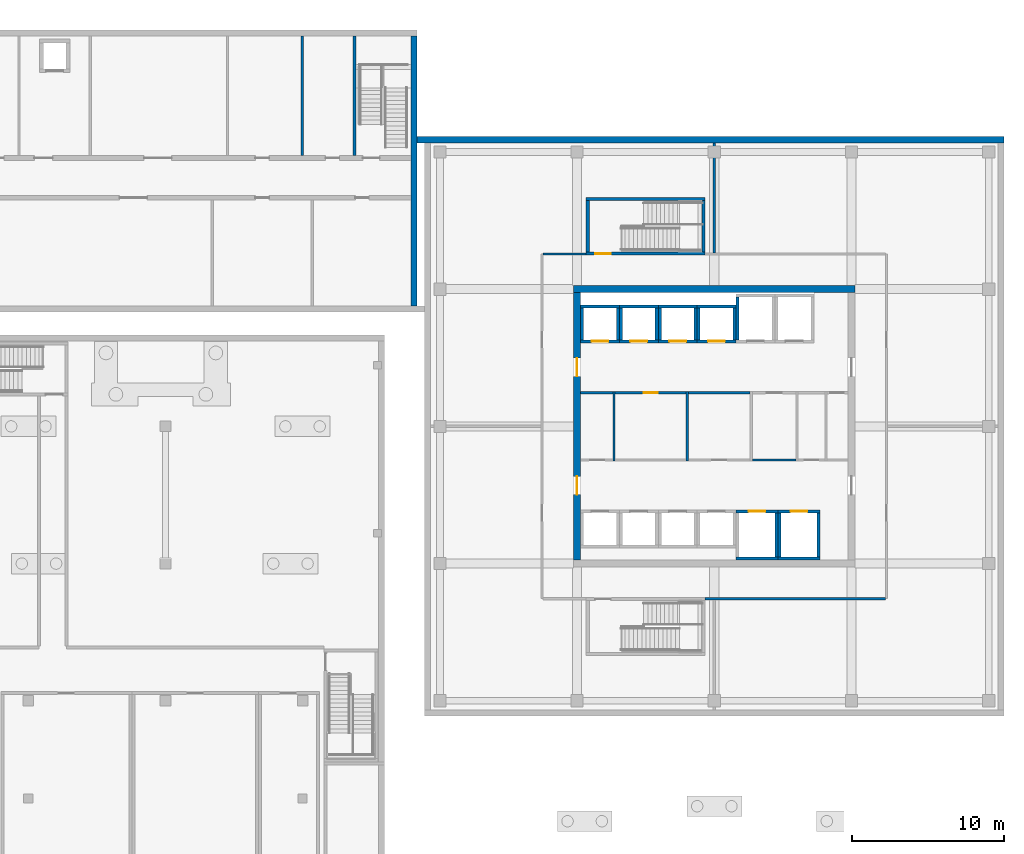
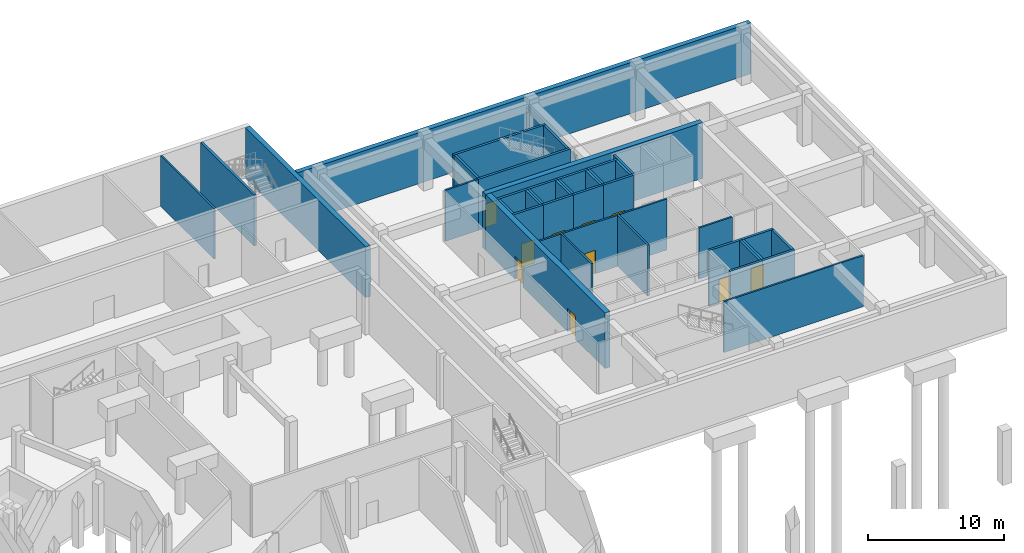
# One storey, part 9 of 15: 43 walls, 10 doors, 10 openings.
"""IFC4 building model written with IfcOpenShell, lengths in metres."""

from ifc_helpers import new_model, si_unit, direction, frame, frame_2d, origin, place, context, subcontext, project, spatial, rectangle, extrude, material, layer, layer_set, type_object, element, fill, save


model = new_model("IFC4")

# Units and contexts
model_context = context("Model", 3, precision=1e-05, world=origin(), true_north=direction((0.0, 1.0)))
body_context = subcontext(model_context, "Body", "Model", "MODEL_VIEW")
ifc_project = project(units=[si_unit("LENGTHUNIT", "METRE"), si_unit("AREAUNIT", "SQUARE_METRE"), si_unit("VOLUMEUNIT", "CUBIC_METRE"), si_unit("PLANEANGLEUNIT", "RADIAN"), si_unit("MASSUNIT", "GRAM", prefix="KILO")], contexts=[model_context])

# Site, building, storey
site_placement = place(None, origin())
site = spatial("IfcSite", under=ifc_project, at=site_placement, CompositionType="ELEMENT")
building_placement = place(site_placement, origin())
building = spatial("IfcBuilding", under=site, at=building_placement, Name="Tuart Plaza Theatre", CompositionType="ELEMENT")
storey_placement = place(building_placement, frame((0.0, 0.0, -5.0)))
storey = spatial("IfcBuildingStorey", under=building, at=storey_placement, Name="B1", CompositionType="ELEMENT", Elevation=-5.0)

# Walls
ifc_material_1 = material(Name="Masonry", Category="masonry")
ifc_layer_1 = layer(ifc_material_1, 0.14990234375)
ifc_layer_set_1 = layer_set([ifc_layer_1], Name="PARTITION BLK150 FRL -/120/120")
wall_type_1 = type_object("IfcWallType", Name="PARTITION BLK150 FRL -/120/120", PredefinedType="PARTITIONING", material=ifc_layer_set_1)
wall_1_placement = place(storey_placement, frame((104.97509765625, 91.75, 0.0), z_axis=(0.0, 0.0, 1.0), x_axis=(0.0, 1.0, 0.0)))
element("IfcWall", 1, at=wall_1_placement, inside=storey, type_object=wall_type_1, Name="P756", PredefinedType="PARTITIONING", context=body_context, shape_type="SweptSolid", body=[
    extrude(rectangle(XDim=7.85009765625, YDim=0.14990234375, at=frame_2d((3.925048828125, 0.0))), origin(), (0.0, 0.0, 1.0), 4.550048828125),
])
ifc_material_2 = material(Name="Masonry block", Category="masonry")
ifc_layer_2 = layer(ifc_material_2, 0.14990234375)
ifc_layer_set_2 = layer_set([ifc_layer_2], Name="PARTITION BLK150 MASONRYB FRL -/120/120")
wall_type_2 = type_object("IfcWallType", Name="PARTITION BLK150 MASONRYB FRL -/120/120", PredefinedType="PARTITIONING", material=ifc_layer_set_2)
wall_2_placement = place(storey_placement, frame((125.425048828125, 71.72509765625, 0.0), z_axis=(0.0, 0.0, 1.0), x_axis=(0.0, 1.0, 0.0)))
element("IfcWall", 2, at=wall_2_placement, inside=storey, type_object=wall_type_2, Name="P535", PredefinedType="PARTITIONING", context=body_context, shape_type="SweptSolid", body=[
    extrude(rectangle(XDim=4.5498046875, YDim=0.14990234375, at=frame_2d((2.27490234375, 0.0))), origin(), (0.0, 0.0, 1.0), 4.580078125),
])
wall_3_placement = place(storey_placement, frame((123.22509765625, 76.199951171875, 0.0), z_axis=(0.0, 0.0, 1.0), x_axis=(1.0, 0.0, 0.0)))
element("IfcWall", 3, at=wall_3_placement, inside=storey, type_object=wall_type_2, Name="P537", PredefinedType="PARTITIONING", context=body_context, shape_type="SweptSolid", body=[
    extrude(rectangle(XDim=2.125, YDim=0.14990234375, at=frame_2d((1.0625, 0.0))), origin(), (0.0, 0.0, 1.0), 4.580078125),
])
wall_4_placement = place(storey_placement, frame((130.22509765625, 71.72509765625, 0.0), z_axis=(0.0, 0.0, 1.0), x_axis=(0.0, 1.0, 0.0)))
element("IfcWall", 4, at=wall_4_placement, inside=storey, type_object=wall_type_2, Name="P538", PredefinedType="PARTITIONING", context=body_context, shape_type="SweptSolid", body=[
    extrude(rectangle(XDim=4.5498046875, YDim=0.14990234375, at=frame_2d((2.27490234375, 0.0))), origin(), (0.0, 0.0, 1.0), 4.580078125),
])

# Wall, opening, door
wall_5_placement = place(storey_placement, frame((125.5, 76.199951171875, 0.0), z_axis=(0.0, 0.0, 1.0), x_axis=(1.0, 0.0, 0.0)))
wall_5 = element("IfcWall", 5, at=wall_5_placement, inside=storey, type_object=wall_type_2, Name="P540", PredefinedType="PARTITIONING", context=body_context, shape_type="SweptSolid", body=[
    extrude(rectangle(XDim=4.64990234375, YDim=0.14990234375, at=frame_2d((2.324951171875, 0.0))), origin(), (0.0, 0.0, 1.0), 4.580078125),
])
opening_1_placement = place(wall_5_placement, frame((1.875, 0.0, 0.0)))
opening_1 = element("IfcOpeningElement", 6, at=opening_1_placement, cuts=wall_5, Name="Opening B1-050", PredefinedType="OPENING", context=body_context, shape_type="SweptSolid", body=[
    extrude(rectangle(XDim=0.89990234375, YDim=2.10009765625, at=frame_2d((0.449951171875, 1.050048828125))), frame((0.0, 0.0849609375, 0.0), z_axis=(0.0, -1.0, 0.0), x_axis=(1.0, 0.0, 0.0)), (0.0, 0.0, 1.0), 0.169921875),
])
ifc_material_3 = material(Name="Steel Grade 300", Category="steel")
door_type_1 = type_object("IfcDoorType", Name="DOOR 900x2100 steel single swing FRL -/120/30", OperationType="SINGLE_SWING_LEFT", PredefinedType="DOOR", material=ifc_material_3)
door_1_placement = place(opening_1_placement, frame((0.89990234375, 0.0, 0.0), z_axis=(0.0, 0.0, 1.0), x_axis=(-1.0, 0.0, 0.0)))
door_1 = element("IfcDoor", 7, at=door_1_placement, inside=storey, type_object=door_type_1, Name="B1-050", OperationType="SINGLE_SWING_LEFT", OverallHeight=2.10009765625, OverallWidth=0.89990234375, PredefinedType="DOOR", context=body_context, shape_type="SweptSolid", body=[
    extrude(rectangle(XDim=0.89990234375, YDim=2.10009765625, at=frame_2d((0.449951171875, 1.050048828125))), frame((0.0, 0.02490234375, 0.0), z_axis=(0.0, -1.0, 0.0), x_axis=(1.0, 0.0, 0.0)), (0.0, 0.0, 1.0), 0.050048828125),
])
fill(opening_1, door_1)

# Walls
wall_6_placement = place(storey_placement, frame((130.300048828125, 76.199951171875, 0.0), z_axis=(0.0, 0.0, 1.0), x_axis=(1.0, 0.0, 0.0)))
element("IfcWall", 8, at=wall_6_placement, inside=storey, type_object=wall_type_2, Name="P543", PredefinedType="PARTITIONING", context=body_context, shape_type="SweptSolid", body=[
    extrude(rectangle(XDim=4.050048828125, YDim=0.14990234375, at=frame_2d((2.02490234375, 0.0))), origin(), (0.0, 0.0, 1.0), 4.580078125),
])
wall_7_placement = place(storey_placement, frame((134.5, 71.800048828125, 0.0), z_axis=(0.0, 0.0, 1.0), x_axis=(1.0, 0.0, 0.0)))
element("IfcWall", 9, at=wall_7_placement, inside=storey, type_object=wall_type_2, Name="P545", PredefinedType="PARTITIONING", context=body_context, shape_type="SweptSolid", body=[
    extrude(rectangle(XDim=2.85009765625, YDim=0.14990234375, at=frame_2d((1.425048828125, 0.0))), origin(), (0.0, 0.0, 1.0), 4.580078125),
])
ifc_material_4 = material(Name="Masonry block", Category="masonry")
ifc_layer_3 = layer(ifc_material_4, 0.14990234375)
ifc_layer_set_3 = layer_set([ifc_layer_3], Name="PARTITION BLK150 MASONRYB FRL 120/-/-")
wall_type_3 = type_object("IfcWallType", Name="PARTITION BLK150 MASONRYB FRL 120/-/-", PredefinedType="PARTITIONING", material=ifc_layer_set_3)
wall_8_placement = place(storey_placement, frame((143.22509765625, 62.699951171875, 0.0), z_axis=(0.0, 0.0, 1.0), x_axis=(-1.0, 0.0, 0.0)))
element("IfcWall", 10, at=wall_8_placement, inside=storey, type_object=wall_type_3, Name="P554", PredefinedType="PARTITIONING", context=body_context, shape_type="SweptSolid", body=[
    extrude(rectangle(XDim=11.8251953125, YDim=0.14990234375, at=frame_2d((5.91259765625, 0.0))), origin(), (0.0, 0.0, 1.0), 4.580078125),
])
wall_9_placement = place(storey_placement, frame((120.77490234375, 85.300048828125, 0.0), z_axis=(0.0, 0.0, 1.0), x_axis=(1.0, 0.0, 0.0)))
element("IfcWall", 11, at=wall_9_placement, inside=storey, type_object=wall_type_3, Name="P555", PredefinedType="PARTITIONING", context=body_context, shape_type="SweptSolid", body=[
    extrude(rectangle(XDim=2.8251953125, YDim=0.14990234375, at=frame_2d((1.41259765625, 0.0))), origin(), (0.0, 0.0, 1.0), 4.580078125),
])
wall_10_placement = place(storey_placement, frame((132.0, 85.3740234375, 0.0), z_axis=(0.0, 0.0, 1.0), x_axis=(0.0, 1.0, 0.0)))
element("IfcWall", 12, at=wall_10_placement, inside=storey, type_object=wall_type_3, Name="P559", PredefinedType="PARTITIONING", context=body_context, shape_type="SweptSolid", body=[
    extrude(rectangle(XDim=7.22705078125, YDim=0.14990234375, at=frame_2d((3.613525390625, 0.0))), origin(), (0.0, 0.0, 1.0), 3.679931640625),
])

# Wall, opening, door
ifc_material_5 = material(Name="Concrete N40 (40 MPa)", Category="concrete")
ifc_layer_4 = layer(ifc_material_5, 0.199951171875)
ifc_layer_set_4 = layer_set([ifc_layer_4], Name="SHEAR WALL RC200 FRL 120/120/120")
wall_type_4 = type_object("IfcWallType", Name="SHEAR WALL RC200 FRL 120/120/120", PredefinedType="SHEAR", material=ifc_layer_set_4)
wall_11_placement = place(storey_placement, frame((123.22509765625, 79.574951171875, 0.0), z_axis=(0.0, 0.0, 1.0), x_axis=(1.0, 0.0, 0.0)))
wall_11 = element("IfcWall", 13, at=wall_11_placement, inside=storey, type_object=wall_type_4, Name="W722", PredefinedType="SHEAR", context=body_context, shape_type="SweptSolid", body=[
    extrude(rectangle(XDim=2.5498046875, YDim=0.199951171875, at=frame_2d((1.27490234375, 0.0))), origin(), (0.0, 0.0, 1.0), 5.0),
])
opening_2_placement = place(wall_11_placement, frame((0.72509765625, 0.0, 0.0)))
opening_2 = element("IfcOpeningElement", 14, at=opening_2_placement, cuts=wall_11, Name="Opening B1-035", PredefinedType="OPENING", context=body_context, shape_type="SweptSolid", body=[
    extrude(rectangle(XDim=1.10009765625, YDim=2.10009765625, at=frame_2d((0.550048828125, 1.050048828125))), frame((0.0, 0.10986328125, 0.0), z_axis=(0.0, -1.0, 0.0), x_axis=(1.0, 0.0, 0.0)), (0.0, 0.0, 1.0), 0.219970703125),
])
ifc_material_6 = material(Name="Steel Grade 300", Category="steel")
door_type_2 = type_object("IfcDoorType", Name="LANDING DOOR 1100x2100 steel sliding FRL -/120/30", OperationType="SLIDING_TO_LEFT", PredefinedType="DOOR", material=ifc_material_6)
door_2_placement = place(opening_2_placement, origin())
door_2 = element("IfcDoor", 15, at=door_2_placement, inside=storey, type_object=door_type_2, Name="B1-035", OperationType="SLIDING_TO_LEFT", OverallHeight=2.10009765625, OverallWidth=1.10009765625, PredefinedType="DOOR", context=body_context, shape_type="SweptSolid", body=[
    extrude(rectangle(XDim=1.10009765625, YDim=2.10009765625, at=frame_2d((0.550048828125, 1.050048828125))), frame((0.0, 0.02490234375, 0.0), z_axis=(0.0, -1.0, 0.0), x_axis=(1.0, 0.0, 0.0)), (0.0, 0.0, 1.0), 0.050048828125),
])
fill(opening_2, door_2)

# Walls
wall_12_placement = place(storey_placement, frame((125.675048828125, 79.675048828125, 0.0), z_axis=(0.0, 0.0, 1.0), x_axis=(0.0, 1.0, 0.0)))
element("IfcWall", 16, at=wall_12_placement, inside=storey, type_object=wall_type_4, Name="W723", PredefinedType="SHEAR", context=body_context, shape_type="SweptSolid", body=[
    extrude(rectangle(XDim=2.099853515625, YDim=0.199951171875, at=frame_2d((1.0498046875, 0.0))), origin(), (0.0, 0.0, 1.0), 5.0),
])
wall_13_placement = place(storey_placement, frame((125.77490234375, 81.875, 0.0), z_axis=(0.0, 0.0, 1.0), x_axis=(-1.0, 0.0, 0.0)))
element("IfcWall", 17, at=wall_13_placement, inside=storey, type_object=wall_type_4, Name="W724", PredefinedType="SHEAR", context=body_context, shape_type="SweptSolid", body=[
    extrude(rectangle(XDim=2.5498046875, YDim=0.199951171875, at=frame_2d((1.27490234375, 0.0))), origin(), (0.0, 0.0, 1.0), 5.0),
])
wall_14_placement = place(storey_placement, frame((123.324951171875, 81.77490234375, 0.0), z_axis=(0.0, 0.0, 1.0), x_axis=(0.0, -1.0, 0.0)))
element("IfcWall", 18, at=wall_14_placement, inside=storey, type_object=wall_type_4, Name="W725", PredefinedType="SHEAR", context=body_context, shape_type="SweptSolid", body=[
    extrude(rectangle(XDim=2.099853515625, YDim=0.199951171875, at=frame_2d((1.0498046875, 0.0))), origin(), (0.0, 0.0, 1.0), 5.0),
])

# Wall, opening, door
wall_15_placement = place(storey_placement, frame((125.77490234375, 79.574951171875, 0.0), z_axis=(0.0, 0.0, 1.0), x_axis=(1.0, 0.0, 0.0)))
wall_15 = element("IfcWall", 19, at=wall_15_placement, inside=storey, type_object=wall_type_4, Name="W794", PredefinedType="SHEAR", context=body_context, shape_type="SweptSolid", body=[
    extrude(rectangle(XDim=2.550048828125, YDim=0.199951171875, at=frame_2d((1.27490234375, 0.0))), origin(), (0.0, 0.0, 1.0), 5.0),
])
opening_3_placement = place(wall_15_placement, frame((0.72509765625, 0.0, 0.0)))
opening_3 = element("IfcOpeningElement", 20, at=opening_3_placement, cuts=wall_15, Name="Opening B1-036", PredefinedType="OPENING", context=body_context, shape_type="SweptSolid", body=[
    extrude(rectangle(XDim=1.10009765625, YDim=2.10009765625, at=frame_2d((0.550048828125, 1.050048828125))), frame((0.0, 0.10986328125, 0.0), z_axis=(0.0, -1.0, 0.0), x_axis=(1.0, 0.0, 0.0)), (0.0, 0.0, 1.0), 0.219970703125),
])
door_3_placement = place(opening_3_placement, origin())
door_3 = element("IfcDoor", 21, at=door_3_placement, inside=storey, type_object=door_type_2, Name="B1-036", OperationType="SLIDING_TO_LEFT", OverallHeight=2.10009765625, OverallWidth=1.10009765625, PredefinedType="DOOR", context=body_context, shape_type="SweptSolid", body=[
    extrude(rectangle(XDim=1.10009765625, YDim=2.10009765625, at=frame_2d((0.550048828125, 1.050048828125))), frame((0.0, 0.02490234375, 0.0), z_axis=(0.0, -1.0, 0.0), x_axis=(1.0, 0.0, 0.0)), (0.0, 0.0, 1.0), 0.050048828125),
])
fill(opening_3, door_3)

# Walls
wall_16_placement = place(storey_placement, frame((128.22509765625, 79.675048828125, 0.0), z_axis=(0.0, 0.0, 1.0), x_axis=(0.0, 1.0, 0.0)))
element("IfcWall", 22, at=wall_16_placement, inside=storey, type_object=wall_type_4, Name="W795", PredefinedType="SHEAR", context=body_context, shape_type="SweptSolid", body=[
    extrude(rectangle(XDim=2.099853515625, YDim=0.199951171875, at=frame_2d((1.0498046875, 0.0))), origin(), (0.0, 0.0, 1.0), 5.0),
])
wall_17_placement = place(storey_placement, frame((128.324951171875, 81.875, 0.0), z_axis=(0.0, 0.0, 1.0), x_axis=(-1.0, 0.0, 0.0)))
element("IfcWall", 23, at=wall_17_placement, inside=storey, type_object=wall_type_4, Name="W796", PredefinedType="SHEAR", context=body_context, shape_type="SweptSolid", body=[
    extrude(rectangle(XDim=2.550048828125, YDim=0.199951171875, at=frame_2d((1.27490234375, 0.0))), origin(), (0.0, 0.0, 1.0), 5.0),
])
wall_18_placement = place(storey_placement, frame((125.875, 81.77490234375, 0.0), z_axis=(0.0, 0.0, 1.0), x_axis=(0.0, -1.0, 0.0)))
element("IfcWall", 24, at=wall_18_placement, inside=storey, type_object=wall_type_4, Name="W797", PredefinedType="SHEAR", context=body_context, shape_type="SweptSolid", body=[
    extrude(rectangle(XDim=2.099853515625, YDim=0.199951171875, at=frame_2d((1.0498046875, 0.0))), origin(), (0.0, 0.0, 1.0), 5.0),
])

# Wall, opening, door
wall_19_placement = place(storey_placement, frame((128.324951171875, 79.574951171875, 0.0), z_axis=(0.0, 0.0, 1.0), x_axis=(1.0, 0.0, 0.0)))
wall_19 = element("IfcWall", 25, at=wall_19_placement, inside=storey, type_object=wall_type_4, Name="W866", PredefinedType="SHEAR", context=body_context, shape_type="SweptSolid", body=[
    extrude(rectangle(XDim=2.550048828125, YDim=0.199951171875, at=frame_2d((1.27490234375, 0.0))), origin(), (0.0, 0.0, 1.0), 5.0),
])
opening_4_placement = place(wall_19_placement, frame((0.72509765625, 0.0, 0.0)))
opening_4 = element("IfcOpeningElement", 26, at=opening_4_placement, cuts=wall_19, Name="Opening B1-037", PredefinedType="OPENING", context=body_context, shape_type="SweptSolid", body=[
    extrude(rectangle(XDim=1.10009765625, YDim=2.10009765625, at=frame_2d((0.550048828125, 1.050048828125))), frame((0.0, 0.10986328125, 0.0), z_axis=(0.0, -1.0, 0.0), x_axis=(1.0, 0.0, 0.0)), (0.0, 0.0, 1.0), 0.219970703125),
])
door_4_placement = place(opening_4_placement, origin())
door_4 = element("IfcDoor", 27, at=door_4_placement, inside=storey, type_object=door_type_2, Name="B1-037", OperationType="SLIDING_TO_LEFT", OverallHeight=2.10009765625, OverallWidth=1.10009765625, PredefinedType="DOOR", context=body_context, shape_type="SweptSolid", body=[
    extrude(rectangle(XDim=1.10009765625, YDim=2.10009765625, at=frame_2d((0.550048828125, 1.050048828125))), frame((0.0, 0.02490234375, 0.0), z_axis=(0.0, -1.0, 0.0), x_axis=(1.0, 0.0, 0.0)), (0.0, 0.0, 1.0), 0.050048828125),
])
fill(opening_4, door_4)

# Walls
wall_20_placement = place(storey_placement, frame((130.77490234375, 79.675048828125, 0.0), z_axis=(0.0, 0.0, 1.0), x_axis=(0.0, 1.0, 0.0)))
element("IfcWall", 28, at=wall_20_placement, inside=storey, type_object=wall_type_4, Name="W867", PredefinedType="SHEAR", context=body_context, shape_type="SweptSolid", body=[
    extrude(rectangle(XDim=2.099853515625, YDim=0.199951171875, at=frame_2d((1.0498046875, 0.0))), origin(), (0.0, 0.0, 1.0), 5.0),
])
wall_21_placement = place(storey_placement, frame((130.875, 81.875, 0.0), z_axis=(0.0, 0.0, 1.0), x_axis=(-1.0, 0.0, 0.0)))
element("IfcWall", 29, at=wall_21_placement, inside=storey, type_object=wall_type_4, Name="W868", PredefinedType="SHEAR", context=body_context, shape_type="SweptSolid", body=[
    extrude(rectangle(XDim=2.550048828125, YDim=0.199951171875, at=frame_2d((1.27490234375, 0.0))), origin(), (0.0, 0.0, 1.0), 5.0),
])
wall_22_placement = place(storey_placement, frame((128.425048828125, 81.77490234375, 0.0), z_axis=(0.0, 0.0, 1.0), x_axis=(0.0, -1.0, 0.0)))
element("IfcWall", 30, at=wall_22_placement, inside=storey, type_object=wall_type_4, Name="W869", PredefinedType="SHEAR", context=body_context, shape_type="SweptSolid", body=[
    extrude(rectangle(XDim=2.099853515625, YDim=0.199951171875, at=frame_2d((1.0498046875, 0.0))), origin(), (0.0, 0.0, 1.0), 5.0),
])

# Wall, opening, door
wall_23_placement = place(storey_placement, frame((130.875, 79.574951171875, 0.0), z_axis=(0.0, 0.0, 1.0), x_axis=(1.0, 0.0, 0.0)))
wall_23 = element("IfcWall", 31, at=wall_23_placement, inside=storey, type_object=wall_type_4, Name="W938", PredefinedType="SHEAR", context=body_context, shape_type="SweptSolid", body=[
    extrude(rectangle(XDim=2.550048828125, YDim=0.199951171875, at=frame_2d((1.27490234375, 0.0))), origin(), (0.0, 0.0, 1.0), 5.0),
])
opening_5_placement = place(wall_23_placement, frame((0.72509765625, 0.0, 0.0)))
opening_5 = element("IfcOpeningElement", 32, at=opening_5_placement, cuts=wall_23, Name="Opening B1-038", PredefinedType="OPENING", context=body_context, shape_type="SweptSolid", body=[
    extrude(rectangle(XDim=1.10009765625, YDim=2.10009765625, at=frame_2d((0.550048828125, 1.050048828125))), frame((0.0, 0.10986328125, 0.0), z_axis=(0.0, -1.0, 0.0), x_axis=(1.0, 0.0, 0.0)), (0.0, 0.0, 1.0), 0.219970703125),
])
door_5_placement = place(opening_5_placement, origin())
door_5 = element("IfcDoor", 33, at=door_5_placement, inside=storey, type_object=door_type_2, Name="B1-038", OperationType="SLIDING_TO_LEFT", OverallHeight=2.10009765625, OverallWidth=1.10009765625, PredefinedType="DOOR", context=body_context, shape_type="SweptSolid", body=[
    extrude(rectangle(XDim=1.10009765625, YDim=2.10009765625, at=frame_2d((0.550048828125, 1.050048828125))), frame((0.0, 0.02490234375, 0.0), z_axis=(0.0, -1.0, 0.0), x_axis=(1.0, 0.0, 0.0)), (0.0, 0.0, 1.0), 0.050048828125),
])
fill(opening_5, door_5)

# Walls
wall_24_placement = place(storey_placement, frame((133.324951171875, 79.675048828125, 0.0), z_axis=(0.0, 0.0, 1.0), x_axis=(0.0, 1.0, 0.0)))
element("IfcWall", 34, at=wall_24_placement, inside=storey, type_object=wall_type_4, Name="W939", PredefinedType="SHEAR", context=body_context, shape_type="SweptSolid", body=[
    extrude(rectangle(XDim=2.099853515625, YDim=0.199951171875, at=frame_2d((1.0498046875, 0.0))), origin(), (0.0, 0.0, 1.0), 5.0),
])
wall_25_placement = place(storey_placement, frame((133.425048828125, 81.875, 0.0), z_axis=(0.0, 0.0, 1.0), x_axis=(-1.0, 0.0, 0.0)))
element("IfcWall", 35, at=wall_25_placement, inside=storey, type_object=wall_type_4, Name="W940", PredefinedType="SHEAR", context=body_context, shape_type="SweptSolid", body=[
    extrude(rectangle(XDim=2.550048828125, YDim=0.199951171875, at=frame_2d((1.27490234375, 0.0))), origin(), (0.0, 0.0, 1.0), 5.0),
])
wall_26_placement = place(storey_placement, frame((130.97509765625, 81.77490234375, 0.0), z_axis=(0.0, 0.0, 1.0), x_axis=(0.0, -1.0, 0.0)))
element("IfcWall", 36, at=wall_26_placement, inside=storey, type_object=wall_type_4, Name="W941", PredefinedType="SHEAR", context=body_context, shape_type="SweptSolid", body=[
    extrude(rectangle(XDim=2.099853515625, YDim=0.199951171875, at=frame_2d((1.0498046875, 0.0))), origin(), (0.0, 0.0, 1.0), 5.0),
])
wall_27_placement = place(storey_placement, frame((133.425048828125, 65.324951171875, 0.0), z_axis=(0.0, 0.0, 1.0), x_axis=(1.0, 0.0, 0.0)))
element("IfcWall", 37, at=wall_27_placement, inside=storey, type_object=wall_type_4, Name="W1010", PredefinedType="SHEAR", context=body_context, shape_type="SweptSolid", body=[
    extrude(rectangle(XDim=2.75, YDim=0.199951171875, at=frame_2d((1.375, 0.0))), origin(), (0.0, 0.0, 1.0), 5.0),
])
wall_28_placement = place(storey_placement, frame((136.074951171875, 65.425048828125, 0.0), z_axis=(0.0, 0.0, 1.0), x_axis=(0.0, 1.0, 0.0)))
element("IfcWall", 38, at=wall_28_placement, inside=storey, type_object=wall_type_4, Name="W1011", PredefinedType="SHEAR", context=body_context, shape_type="SweptSolid", body=[
    extrude(rectangle(XDim=2.89990234375, YDim=0.199951171875, at=frame_2d((1.449951171875, 0.0))), origin(), (0.0, 0.0, 1.0), 5.0),
])

# Wall, opening, door
wall_29_placement = place(storey_placement, frame((136.175048828125, 68.425048828125, 0.0), z_axis=(0.0, 0.0, 1.0), x_axis=(-1.0, 0.0, 0.0)))
wall_29 = element("IfcWall", 39, at=wall_29_placement, inside=storey, type_object=wall_type_4, Name="W1012", PredefinedType="SHEAR", context=body_context, shape_type="SweptSolid", body=[
    extrude(rectangle(XDim=2.75, YDim=0.199951171875, at=frame_2d((1.375, 0.0))), origin(), (0.0, 0.0, 1.0), 5.0),
])
opening_6_placement = place(wall_29_placement, frame((0.824951171875, 0.0, 0.0)))
opening_6 = element("IfcOpeningElement", 40, at=opening_6_placement, cuts=wall_29, Name="Opening B1-039", PredefinedType="OPENING", context=body_context, shape_type="SweptSolid", body=[
    extrude(rectangle(XDim=1.10009765625, YDim=2.10009765625, at=frame_2d((0.550048828125, 1.050048828125))), frame((0.0, 0.10986328125, 0.0), z_axis=(0.0, -1.0, 0.0), x_axis=(1.0, 0.0, 0.0)), (0.0, 0.0, 1.0), 0.219970703125),
])
door_6_placement = place(opening_6_placement, origin())
door_6 = element("IfcDoor", 41, at=door_6_placement, inside=storey, type_object=door_type_2, Name="B1-039", OperationType="SLIDING_TO_LEFT", OverallHeight=2.10009765625, OverallWidth=1.10009765625, PredefinedType="DOOR", context=body_context, shape_type="SweptSolid", body=[
    extrude(rectangle(XDim=1.10009765625, YDim=2.10009765625, at=frame_2d((0.550048828125, 1.050048828125))), frame((0.0, 0.02490234375, 0.0), z_axis=(0.0, -1.0, 0.0), x_axis=(1.0, 0.0, 0.0)), (0.0, 0.0, 1.0), 0.050048828125),
])
fill(opening_6, door_6)

# Walls
wall_30_placement = place(storey_placement, frame((136.175048828125, 65.324951171875, 0.0), z_axis=(0.0, 0.0, 1.0), x_axis=(1.0, 0.0, 0.0)))
element("IfcWall", 42, at=wall_30_placement, inside=storey, type_object=wall_type_4, Name="W1086", PredefinedType="SHEAR", context=body_context, shape_type="SweptSolid", body=[
    extrude(rectangle(XDim=2.75, YDim=0.199951171875, at=frame_2d((1.375, 0.0))), origin(), (0.0, 0.0, 1.0), 5.0),
])
wall_31_placement = place(storey_placement, frame((138.824951171875, 65.425048828125, 0.0), z_axis=(0.0, 0.0, 1.0), x_axis=(0.0, 1.0, 0.0)))
element("IfcWall", 43, at=wall_31_placement, inside=storey, type_object=wall_type_4, Name="W1087", PredefinedType="SHEAR", context=body_context, shape_type="SweptSolid", body=[
    extrude(rectangle(XDim=2.89990234375, YDim=0.199951171875, at=frame_2d((1.449951171875, 0.0))), origin(), (0.0, 0.0, 1.0), 5.0),
])

# Wall, opening, door
wall_32_placement = place(storey_placement, frame((138.925048828125, 68.425048828125, 0.0), z_axis=(0.0, 0.0, 1.0), x_axis=(-1.0, 0.0, 0.0)))
wall_32 = element("IfcWall", 44, at=wall_32_placement, inside=storey, type_object=wall_type_4, Name="W1088", PredefinedType="SHEAR", context=body_context, shape_type="SweptSolid", body=[
    extrude(rectangle(XDim=2.75, YDim=0.199951171875, at=frame_2d((1.375, 0.0))), origin(), (0.0, 0.0, 1.0), 5.0),
])
opening_7_placement = place(wall_32_placement, frame((0.824951171875, 0.0, 0.0)))
opening_7 = element("IfcOpeningElement", 45, at=opening_7_placement, cuts=wall_32, Name="Opening B1-040", PredefinedType="OPENING", context=body_context, shape_type="SweptSolid", body=[
    extrude(rectangle(XDim=1.10009765625, YDim=2.10009765625, at=frame_2d((0.550048828125, 1.050048828125))), frame((0.0, 0.10986328125, 0.0), z_axis=(0.0, -1.0, 0.0), x_axis=(1.0, 0.0, 0.0)), (0.0, 0.0, 1.0), 0.219970703125),
])
door_7_placement = place(opening_7_placement, origin())
door_7 = element("IfcDoor", 46, at=door_7_placement, inside=storey, type_object=door_type_2, Name="B1-040", OperationType="SLIDING_TO_LEFT", OverallHeight=2.10009765625, OverallWidth=1.10009765625, PredefinedType="DOOR", context=body_context, shape_type="SweptSolid", body=[
    extrude(rectangle(XDim=1.10009765625, YDim=2.10009765625, at=frame_2d((0.550048828125, 1.050048828125))), frame((0.0, 0.02490234375, 0.0), z_axis=(0.0, -1.0, 0.0), x_axis=(1.0, 0.0, 0.0)), (0.0, 0.0, 1.0), 0.050048828125),
])
fill(opening_7, door_7)

# Walls
wall_33_placement = place(storey_placement, frame((136.27490234375, 68.324951171875, 0.0), z_axis=(0.0, 0.0, 1.0), x_axis=(0.0, -1.0, 0.0)))
element("IfcWall", 47, at=wall_33_placement, inside=storey, type_object=wall_type_4, Name="W1089", PredefinedType="SHEAR", context=body_context, shape_type="SweptSolid", body=[
    extrude(rectangle(XDim=2.89990234375, YDim=0.199951171875, at=frame_2d((1.449951171875, 0.0))), origin(), (0.0, 0.0, 1.0), 5.0),
])
wall_34_placement = place(storey_placement, frame((133.52490234375, 82.47509765625, 0.0), z_axis=(0.0, 0.0, 1.0), x_axis=(0.0, -1.0, 0.0)))
element("IfcWall", 48, at=wall_34_placement, inside=storey, type_object=wall_type_4, Name="W1165", PredefinedType="SHEAR", context=body_context, shape_type="SweptSolid", body=[
    extrude(rectangle(XDim=2.800048828125, YDim=0.199951171875, at=frame_2d((1.39990234375, 0.0))), origin(), (0.0, 0.0, 1.0), 5.0),
])

# Wall, opening, door
wall_35_placement = place(storey_placement, frame((123.60009765625, 85.324951171875, 0.0), z_axis=(0.0, 0.0, 1.0), x_axis=(1.0, 0.0, 0.0)))
wall_35 = element("IfcWall", 49, at=wall_35_placement, inside=storey, type_object=wall_type_4, Name="P492", PredefinedType="SHEAR", context=body_context, shape_type="SweptSolid", body=[
    extrude(rectangle(XDim=7.7998046875, YDim=0.199951171875, at=frame_2d((3.89990234375, 0.0))), origin(), (0.0, 0.0, 1.0), 4.580078125),
])
opening_8_placement = place(wall_35_placement, frame((0.60009765625, 0.0, 0.0)))
opening_8 = element("IfcOpeningElement", 50, at=opening_8_placement, cuts=wall_35, Name="Opening B1-044", PredefinedType="OPENING", context=body_context, shape_type="SweptSolid", body=[
    extrude(rectangle(XDim=1.0, YDim=2.10009765625, at=frame_2d((0.5, 1.050048828125))), frame((0.0, 0.10986328125, 0.0), z_axis=(0.0, -1.0, 0.0), x_axis=(1.0, 0.0, 0.0)), (0.0, 0.0, 1.0), 0.219970703125),
])
ifc_material_7 = material(Name="Steel Grade 300", Category="steel")
door_type_3 = type_object("IfcDoorType", Name="DOOR 1000x2100 steel single swing FRL -/120/30", OperationType="SINGLE_SWING_LEFT", PredefinedType="DOOR", material=ifc_material_7)
door_8_placement = place(opening_8_placement, origin())
door_8 = element("IfcDoor", 51, at=door_8_placement, inside=storey, type_object=door_type_3, Name="B1-044", OperationType="SINGLE_SWING_RIGHT", OverallHeight=2.10009765625, OverallWidth=1.0, PredefinedType="DOOR", context=body_context, shape_type="SweptSolid", body=[
    extrude(rectangle(XDim=1.0, YDim=2.10009765625, at=frame_2d((0.5, 1.050048828125))), frame((0.0, 0.02490234375, 0.0), z_axis=(0.0, -1.0, 0.0), x_axis=(1.0, 0.0, 0.0)), (0.0, 0.0, 1.0), 0.050048828125),
])
fill(opening_8, door_8)

# Walls
wall_36_placement = place(storey_placement, frame((131.300048828125, 85.425048828125, 0.0), z_axis=(0.0, 0.0, 1.0), x_axis=(0.0, 1.0, 0.0)))
element("IfcWall", 52, at=wall_36_placement, inside=storey, type_object=wall_type_4, Name="P493", PredefinedType="SHEAR", context=body_context, shape_type="SweptSolid", body=[
    extrude(rectangle(XDim=3.39990234375, YDim=0.199951171875, at=frame_2d((1.699951171875, 0.0))), origin(), (0.0, 0.0, 1.0), 4.580078125),
])
wall_37_placement = place(storey_placement, frame((131.39990234375, 88.925048828125, 0.0), z_axis=(0.0, 0.0, 1.0), x_axis=(-1.0, 0.0, 0.0)))
element("IfcWall", 53, at=wall_37_placement, inside=storey, type_object=wall_type_4, Name="P494", PredefinedType="SHEAR", context=body_context, shape_type="SweptSolid", body=[
    extrude(rectangle(XDim=7.7998046875, YDim=0.199951171875, at=frame_2d((3.89990234375, 0.0))), origin(), (0.0, 0.0, 1.0), 4.580078125),
])
wall_38_placement = place(storey_placement, frame((123.699951171875, 88.824951171875, 0.0), z_axis=(0.0, 0.0, 1.0), x_axis=(0.0, -1.0, 0.0)))
element("IfcWall", 54, at=wall_38_placement, inside=storey, type_object=wall_type_4, Name="P495", PredefinedType="SHEAR", context=body_context, shape_type="SweptSolid", body=[
    extrude(rectangle(XDim=3.39990234375, YDim=0.199951171875, at=frame_2d((1.699951171875, 0.0))), origin(), (0.0, 0.0, 1.0), 4.580078125),
])
ifc_material_8 = material(Name="Concrete N50 (50 MPa)", Category="concrete")
ifc_layer_5 = layer(ifc_material_8, 0.449951171875)
ifc_layer_set_5 = layer_set([ifc_layer_5], Name="SHEAR WALL RC450 N50 FRL 120/120/120")
wall_type_5 = type_object("IfcWallType", Name="SHEAR WALL RC450 N50 FRL 120/120/120", PredefinedType="SHEAR", material=ifc_layer_set_5)
wall_39_placement = place(storey_placement, frame((141.22509765625, 83.0, 0.0), z_axis=(0.0, 0.0, 1.0), x_axis=(-1.0, 0.0, 0.0)))
element("IfcWall", 55, at=wall_39_placement, inside=storey, type_object=wall_type_5, Name="W349", PredefinedType="SHEAR", context=body_context, shape_type="SweptSolid", body=[
    extrude(rectangle(XDim=18.4501953125, YDim=0.449951171875, at=frame_2d((9.22509765625, 0.0))), origin(), (0.0, 0.0, 1.0), 5.0),
])

# Wall, openings, doors
wall_40_placement = place(storey_placement, frame((123.0, 82.77490234375, 0.0), z_axis=(0.0, 0.0, 1.0), x_axis=(0.0, -1.0, 0.0)))
wall_40 = element("IfcWall", 56, at=wall_40_placement, inside=storey, type_object=wall_type_5, Name="W350", PredefinedType="SHEAR", context=body_context, shape_type="SweptSolid", body=[
    extrude(rectangle(XDim=17.5498046875, YDim=0.449951171875, at=frame_2d((8.77490234375, 0.0))), origin(), (0.0, 0.0, 1.0), 5.0),
])
opening_9_placement = place(wall_40_placement, frame((12.050048828125, 0.0, 0.0)))
opening_9 = element("IfcOpeningElement", 57, at=opening_9_placement, cuts=wall_40, Name="Opening B1-045", PredefinedType="OPENING", context=body_context, shape_type="SweptSolid", body=[
    extrude(rectangle(XDim=1.199951171875, YDim=2.10009765625, at=frame_2d((0.60009765625, 1.050048828125))), frame((0.0, 0.23486328125, 0.0), z_axis=(0.0, -1.0, 0.0), x_axis=(1.0, 0.0, 0.0)), (0.0, 0.0, 1.0), 0.469970703125),
])
opening_10_placement = place(wall_40_placement, frame((4.300048828125, 0.0, 0.0)))
opening_10 = element("IfcOpeningElement", 58, at=opening_10_placement, cuts=wall_40, Name="Opening B1-047", PredefinedType="OPENING", context=body_context, shape_type="SweptSolid", body=[
    extrude(rectangle(XDim=1.199951171875, YDim=2.10009765625, at=frame_2d((0.60009765625, 1.050048828125))), frame((0.0, 0.23486328125, 0.0), z_axis=(0.0, -1.0, 0.0), x_axis=(1.0, 0.0, 0.0)), (0.0, 0.0, 1.0), 0.469970703125),
])
ifc_material_9 = material(Name="Steel Grade 300", Category="steel")
door_type_4 = type_object("IfcDoorType", Name="DOOR 1200x2100 steel single swing FRL -/120/30", OperationType="SINGLE_SWING_LEFT", PredefinedType="DOOR", material=ifc_material_9)
door_9_placement = place(opening_9_placement, frame((1.199951171875, 0.0, 0.0), z_axis=(0.0, 0.0, 1.0), x_axis=(-1.0, 0.0, 0.0)))
door_9 = element("IfcDoor", 59, at=door_9_placement, inside=storey, type_object=door_type_4, Name="B1-045", OperationType="SINGLE_SWING_RIGHT", OverallHeight=2.10009765625, OverallWidth=1.199951171875, PredefinedType="DOOR", context=body_context, shape_type="SweptSolid", body=[
    extrude(rectangle(XDim=1.199951171875, YDim=2.10009765625, at=frame_2d((0.60009765625, 1.050048828125))), frame((0.0, 0.02490234375, 0.0), z_axis=(0.0, -1.0, 0.0), x_axis=(1.0, 0.0, 0.0)), (0.0, 0.0, 1.0), 0.050048828125),
])
fill(opening_9, door_9)
door_10_placement = place(opening_10_placement, frame((1.199951171875, 0.0, 0.0), z_axis=(0.0, 0.0, 1.0), x_axis=(-1.0, 0.0, 0.0)))
door_10 = element("IfcDoor", 60, at=door_10_placement, inside=storey, type_object=door_type_4, Name="B1-047", OperationType="SINGLE_SWING_LEFT", OverallHeight=2.10009765625, OverallWidth=1.199951171875, PredefinedType="DOOR", context=body_context, shape_type="SweptSolid", body=[
    extrude(rectangle(XDim=1.199951171875, YDim=2.10009765625, at=frame_2d((0.60009765625, 1.050048828125))), frame((0.0, 0.02490234375, 0.0), z_axis=(0.0, -1.0, 0.0), x_axis=(1.0, 0.0, 0.0)), (0.0, 0.0, 1.0), 0.050048828125),
])
fill(opening_10, door_10)

# Walls
ifc_material_10 = material(Name="Concrete N40 (40 MPa)", Category="concrete")
ifc_layer_6 = layer(ifc_material_10, 0.199951171875)
ifc_layer_set_6 = layer_set([ifc_layer_6], Name="WALL RC200 LB FRL 120/120/120")
wall_type_6 = type_object("IfcWallType", Name="WALL RC200 LB FRL 120/120/120", PredefinedType="SOLIDWALL", material=ifc_layer_set_6)
wall_41_placement = place(storey_placement, frame((108.39990234375, 91.75, 0.0), z_axis=(0.0, 0.0, 1.0), x_axis=(0.0, 1.0, 0.0)))
element("IfcWall", 61, at=wall_41_placement, inside=storey, type_object=wall_type_6, Name="W1549", PredefinedType="SOLIDWALL", context=body_context, shape_type="SweptSolid", body=[
    extrude(rectangle(XDim=7.85009765625, YDim=0.199951171875, at=frame_2d((3.925048828125, 0.0))), origin(), (0.0, 0.0, 1.0), 4.550048828125),
])
ifc_material_11 = material(Name="Concrete N40 (40 MPa)", Category="concrete")
ifc_layer_7 = layer(ifc_material_11, 0.39990234375)
ifc_layer_set_7 = layer_set([ifc_layer_7], Name="WALL RC400 LB FRL 120/120/120")
wall_type_7 = type_object("IfcWallType", Name="WALL RC400 LB FRL 120/120/120", PredefinedType="SOLIDWALL", material=ifc_layer_set_7)
wall_42_placement = place(storey_placement, frame((151.0, 92.800048828125, 0.0), z_axis=(0.0, 0.0, 1.0), x_axis=(-1.0, 0.0, 0.0)))
element("IfcWall", 62, at=wall_42_placement, inside=storey, type_object=wall_type_7, Name="W461", PredefinedType="SOLIDWALL", context=body_context, shape_type="SweptSolid", body=[
    extrude(rectangle(XDim=38.5, YDim=0.39990234375, at=frame_2d((19.25, 0.0))), origin(), (0.0, 0.0, 1.0), 4.580078125),
])
ifc_material_12 = material(Name="Concrete N40 (40 MPa)", Category="concrete")
ifc_layer_8 = layer(ifc_material_12, 0.39990234375)
ifc_layer_set_8 = layer_set([ifc_layer_8], Name="WALL RC400 LB FRL 120/120/120 EXT")
wall_type_8 = type_object("IfcWallType", Name="WALL RC400 LB FRL 120/120/120 EXT", PredefinedType="SOLIDWALL", material=ifc_layer_set_8)
wall_43_placement = place(storey_placement, frame((112.300048828125, 81.89990234375, 0.0), z_axis=(0.0, 0.0, 1.0), x_axis=(0.0, 1.0, 0.0)))
element("IfcWall", 63, at=wall_43_placement, inside=storey, type_object=wall_type_8, Name="W470", PredefinedType="SOLIDWALL", context=body_context, shape_type="SweptSolid", body=[
    extrude(rectangle(XDim=17.7001953125, YDim=0.39990234375, at=frame_2d((8.85009765625, 0.0))), origin(), (0.0, 0.0, 1.0), 4.550048828125),
])

save(model, "model.ifc")
